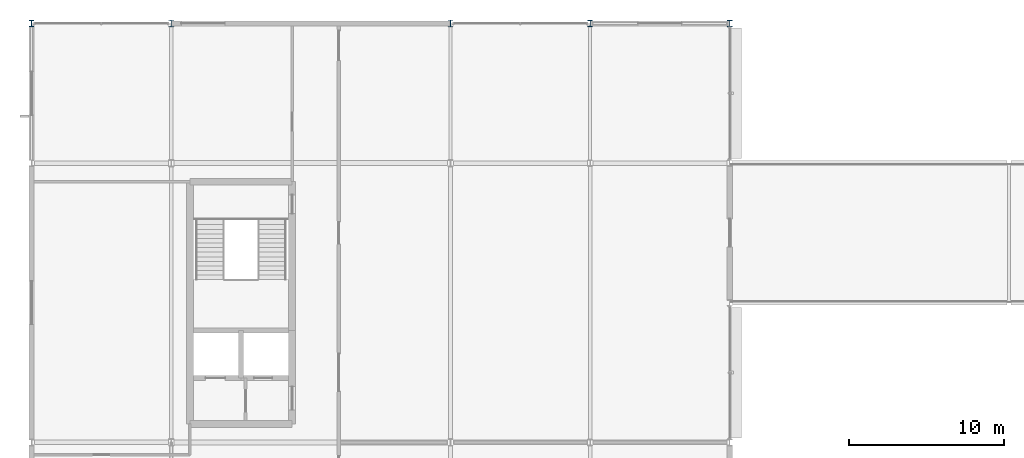
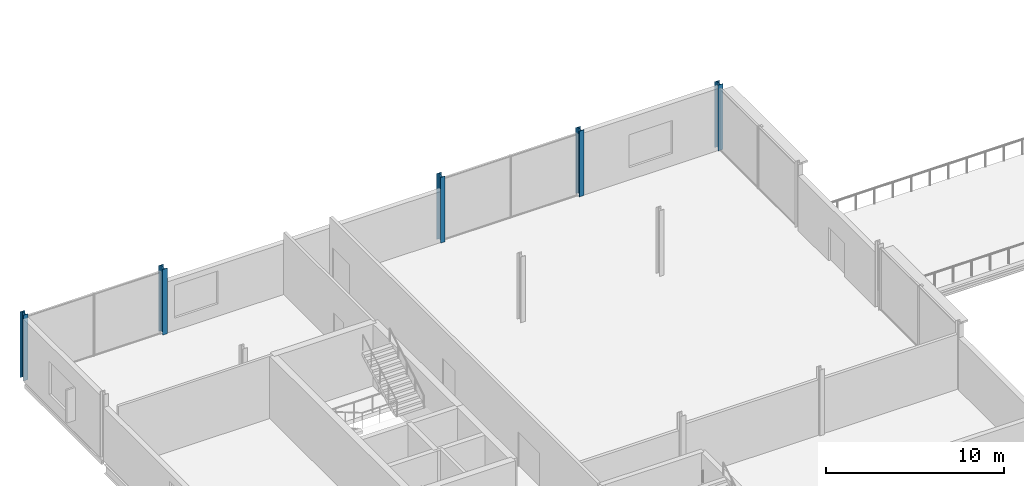
# One storey, part 6 of 73: 5 columns.
"""IFC4 building model written with IfcOpenShell, lengths in metres."""

from ifc_helpers import new_model, si_unit, direction, frame, origin, origin_2d, place, context, subcontext, project, spatial, i_section, extrude, material, material_profile, profile_set, type_object, element, save


model = new_model("IFC4")

# Units and contexts
model_context = context("Model", 3, precision=1e-05, world=origin(), true_north=direction((0.0, 1.0)))
body_context = subcontext(model_context, "Body", "Model", "MODEL_VIEW")
ifc_project = project(units=[si_unit("LENGTHUNIT", "METRE"), si_unit("AREAUNIT", "SQUARE_METRE"), si_unit("VOLUMEUNIT", "CUBIC_METRE"), si_unit("PLANEANGLEUNIT", "RADIAN"), si_unit("MASSUNIT", "GRAM", prefix="KILO")], contexts=[model_context])

# Site, building, storey
site_placement = place(None, origin())
site = spatial("IfcSite", under=ifc_project, at=site_placement, CompositionType="ELEMENT")
building_placement = place(site_placement, origin())
building = spatial("IfcBuilding", under=site, at=building_placement, Name="Kisiwana Market Hall", CompositionType="ELEMENT")
storey_placement = place(building_placement, frame((0.0, 0.0, 33.300048828125)))
storey = spatial("IfcBuildingStorey", under=building, at=storey_placement, Name="L07", CompositionType="ELEMENT", Elevation=33.300048828125)

# Columns
ifc_material_1 = material(Name="Steel S355", Category="steel")
ifc_material_profile_1 = material_profile(ifc_material_1, i_section(OverallWidth=0.300048828125, OverallDepth=0.39990234375, WebThickness=0.013427734375, FlangeThickness=0.02392578125, FilletRadius=0.027099609375, at=origin_2d()), Name="HEB 400")
ifc_profile_set_1 = profile_set([ifc_material_profile_1], Name="Steel S355")
column_type_1 = type_object("IfcColumnType", Name="COL-STL-HEB400", PredefinedType="COLUMN", material=ifc_profile_set_1)
for number, where, z_axis, x_axis, name in (
    (1, (0.0, 111.0, 0.0), (0.0, 0.0, 1.0), (1.0, 0.0, 0.0), "Column P/1 (L07) C-1076"),
    (2, (36.0, 111.0, 0.0), (0.0, 0.0, 1.0), (1.0, 0.0, 0.0), "Column P/5 (L07) C-1095"),
    (3, (45.0, 111.0, 0.0), (0.0, 0.0, 1.0), (1.0, 0.0, 0.0), "Column P/6 (L07) C-1104"),
):
    element("IfcColumn", number, at=place(storey_placement, frame(where, z_axis=z_axis, x_axis=x_axis)), inside=storey, type_object=column_type_1, Name=name, PredefinedType="COLUMN", context=body_context, shape_type="SweptSolid", body=[
        extrude(i_section(OverallWidth=0.300048828125, OverallDepth=0.39990234375, WebThickness=0.013427734375, FlangeThickness=0.02392578125, FilletRadius=0.027099609375, at=origin_2d()), origin(), (0.0, 0.0, 1.0), 4.5),
    ])
ifc_material_2 = material(Name="Steel S355", Category="steel")
ifc_material_profile_2 = material_profile(ifc_material_2, i_section(OverallWidth=0.300048828125, OverallDepth=0.449951171875, WebThickness=0.013916015625, FlangeThickness=0.02587890625, FilletRadius=0.027099609375, at=origin_2d()), Name="HEB 450")
ifc_profile_set_2 = profile_set([ifc_material_profile_2], Name="Steel S355")
column_type_2 = type_object("IfcColumnType", Name="COL-STL-HEB450", PredefinedType="COLUMN", material=ifc_profile_set_2)
for number, where, z_axis, x_axis, name in (
    (4, (9.0, 111.0, 0.0), (0.0, 0.0, 1.0), (1.0, 0.0, 0.0), "Column P/2 (L07) C-1082"),
    (5, (27.0, 111.0, 0.0), (0.0, 0.0, 1.0), (1.0, 0.0, 0.0), "Column P/4 (L07) C-1089"),
):
    element("IfcColumn", number, at=place(storey_placement, frame(where, z_axis=z_axis, x_axis=x_axis)), inside=storey, type_object=column_type_2, Name=name, PredefinedType="COLUMN", context=body_context, shape_type="SweptSolid", body=[
        extrude(i_section(OverallWidth=0.300048828125, OverallDepth=0.449951171875, WebThickness=0.013916015625, FlangeThickness=0.02587890625, FilletRadius=0.027099609375, at=origin_2d()), origin(), (0.0, 0.0, 1.0), 4.5),
    ])

save(model, "model.ifc")
